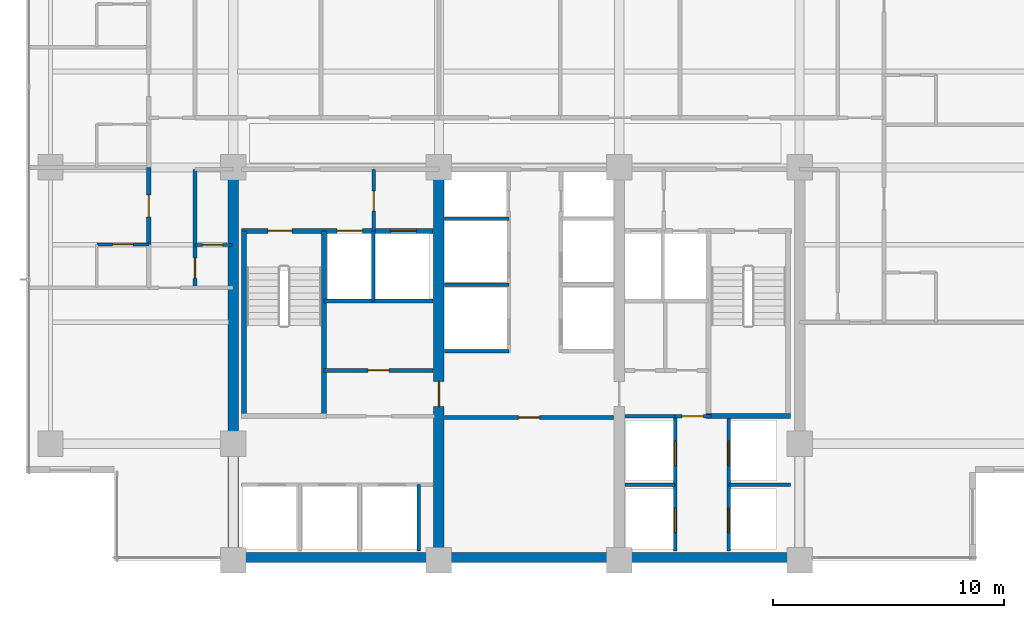
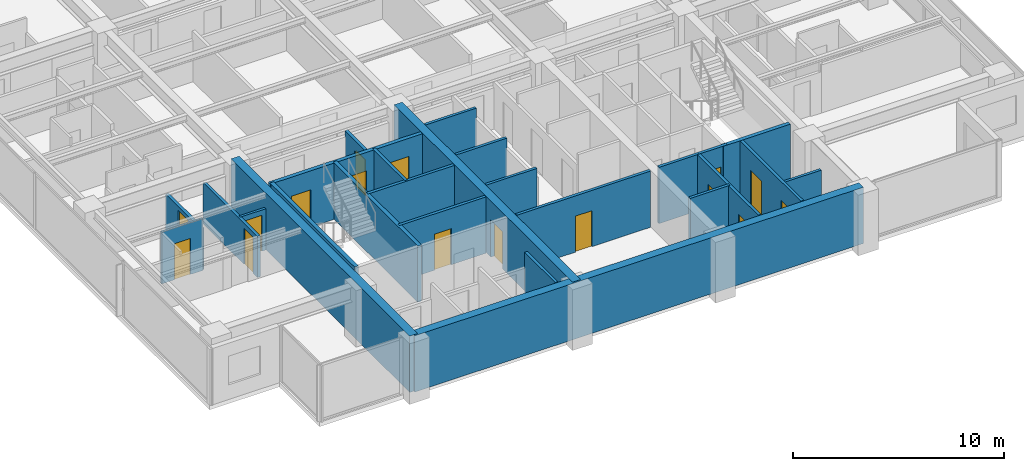
# One storey, part 7 of 15: 26 walls, 16 doors, 16 openings.
"""IFC4 building model written with IfcOpenShell, lengths in metres."""

from ifc_helpers import new_model, si_unit, direction, frame, frame_2d, origin, place, context, subcontext, project, spatial, rectangle, extrude, material, layer, layer_set, type_object, element, fill, save


model = new_model("IFC4")

# Units and contexts
model_context = context("Model", 3, precision=1e-05, world=origin(), true_north=direction((0.0, 1.0)))
body_context = subcontext(model_context, "Body", "Model", "MODEL_VIEW")
ifc_project = project(units=[si_unit("LENGTHUNIT", "METRE"), si_unit("AREAUNIT", "SQUARE_METRE"), si_unit("VOLUMEUNIT", "CUBIC_METRE"), si_unit("PLANEANGLEUNIT", "RADIAN"), si_unit("MASSUNIT", "GRAM", prefix="KILO")], contexts=[model_context])

# Site, building, storey
site_placement = place(None, origin())
site = spatial("IfcSite", under=ifc_project, at=site_placement, CompositionType="ELEMENT")
building_placement = place(site_placement, origin())
building = spatial("IfcBuilding", under=site, at=building_placement, Name="Qalmaran Belvedere Hotel", CompositionType="ELEMENT")
storey_placement = place(building_placement, frame((0.0, 0.0, 142.10009765625)))
storey = spatial("IfcBuildingStorey", under=building, at=storey_placement, Name="L35", CompositionType="ELEMENT", Elevation=142.10009765625)

# Wall
ifc_material_1 = material(Name="Concrete C50/60", Category="concrete")
ifc_layer_1 = layer(ifc_material_1, 0.449951171875, Name="Concrete C50/60")
ifc_layer_set_1 = layer_set([ifc_layer_1], Name="Concrete C50/60")
wall_type_1 = type_object("IfcWallType", Name="WL-CORE-450-C50", PredefinedType="SHEAR", material=ifc_layer_set_1)
wall_1_placement = place(storey_placement, frame((20.300048828125, 3.5, 0.0), z_axis=(0.0, 0.0, 1.0), x_axis=(0.0, 1.0, 0.0)))
element("IfcWall", 1, at=wall_1_placement, inside=storey, type_object=wall_type_1, Name="L35 West Core Shear Wall", PredefinedType="SHEAR", context=body_context, shape_type="SweptSolid", body=[
    extrude(rectangle(XDim=16.89990234375, YDim=0.449951171875, at=frame_2d((8.449951171875, 0.0))), origin(), (0.0, 0.0, 1.0), 3.25),
])

# Wall, opening, door
wall_2_placement = place(storey_placement, frame((29.199951171875, 3.5, 0.0), z_axis=(0.0, 0.0, 1.0), x_axis=(0.0, 1.0, 0.0)))
wall_2 = element("IfcWall", 2, at=wall_2_placement, inside=storey, type_object=wall_type_1, Name="L35 Core West Spine Shear Wall", PredefinedType="SHEAR", context=body_context, shape_type="SweptSolid", body=[
    extrude(rectangle(XDim=16.89990234375, YDim=0.449951171875, at=frame_2d((8.449951171875, 0.0))), origin(), (0.0, 0.0, 1.0), 3.25),
])
opening_1_placement = place(wall_2_placement, frame((7.75, 0.0, 0.0), z_axis=(0.0, 0.0, 1.0), x_axis=(-1.0, 0.0, 0.0)))
opening_1 = element("IfcOpeningElement", 3, at=opening_1_placement, cuts=wall_2, Name="Opening FD90", PredefinedType="OPENING", context=body_context, shape_type="SweptSolid", body=[
    extrude(rectangle(XDim=1.10009765625, YDim=2.14990234375, at=frame_2d((0.550048828125, 1.074951171875))), frame((0.0, 0.23486328125, 0.0), z_axis=(0.0, -1.0, 0.0), x_axis=(1.0, 0.0, 0.0)), (0.0, 0.0, 1.0), 0.469970703125),
])
ifc_material_2 = material(Name="Steel S355JR", Category="steel")
door_type_1 = type_object("IfcDoorType", Name="DR-FD90-1100X2150", OperationType="NOTDEFINED", PredefinedType="DOOR", material=ifc_material_2)
door_1_placement = place(opening_1_placement, origin())
door_1 = element("IfcDoor", 4, at=door_1_placement, inside=storey, type_object=door_type_1, Name="L35 Core West Cross-Lobby Door", OperationType="SINGLE_SWING_LEFT", OverallHeight=2.14990234375, OverallWidth=1.10009765625, PredefinedType="DOOR", context=body_context, shape_type="SweptSolid", body=[
    extrude(rectangle(XDim=1.10009765625, YDim=2.14990234375, at=frame_2d((0.550048828125, 1.074951171875))), frame((0.0, 0.02490234375, 0.0), z_axis=(0.0, -1.0, 0.0), x_axis=(1.0, 0.0, 0.0)), (0.0, 0.0, 1.0), 0.050048828125),
])
fill(opening_1, door_1)

# Wall
ifc_layer_2 = layer(ifc_material_1, 0.43994140625, Name="Concrete C50/60")
ifc_layer_set_2 = layer_set([ifc_layer_2], Name="Concrete C50/60")
wall_type_2 = type_object("IfcWallType", Name="WL-CORES-440-EXT", PredefinedType="SHEAR", material=ifc_layer_set_2)
wall_3_placement = place(storey_placement, frame((20.300048828125, 3.6298828125, 0.0), z_axis=(0.0, 0.0, 1.0), x_axis=(1.0, 0.0, 0.0)))
element("IfcWall", 5, at=wall_3_placement, inside=storey, type_object=wall_type_2, Name="L35 South Core Shear Wall", PredefinedType="SHEAR", context=body_context, shape_type="SweptSolid", body=[
    extrude(rectangle(XDim=24.5, YDim=0.43994140625, at=frame_2d((12.25, 0.0))), origin(), (0.0, 0.0, 1.0), 3.25),
])

# Wall, opening, door
ifc_material_3 = material(Name="Moisture-Resistant Gypsum")
ifc_layer_3 = layer(ifc_material_3, 0.1201171875, Name="Moisture-Resistant Gypsum")
ifc_layer_set_3 = layer_set([ifc_layer_3], Name="Moisture-Resistant Gypsum")
wall_type_3 = type_object("IfcWallType", Name="WL-INT-120-BATH", PredefinedType="PARTITIONING", material=ifc_layer_set_3)
wall_4_placement = place(storey_placement, frame((14.39990234375, 17.169921875, 0.0), z_axis=(0.0, 0.0, 1.0), x_axis=(1.0, 0.0, 0.0)))
wall_4 = element("IfcWall", 6, at=wall_4_placement, inside=storey, type_object=wall_type_3, Name="L35 Partition WL-L35-WBN00", PredefinedType="PARTITIONING", context=body_context, shape_type="SweptSolid", body=[
    extrude(rectangle(XDim=2.25, YDim=0.1201171875, at=frame_2d((1.125, 0.0))), origin(), (0.0, 0.0, 1.0), 2.98779296875),
])
opening_2_placement = place(wall_4_placement, frame((1.56494140625, 0.0, 0.0), z_axis=(0.0, 0.0, 1.0), x_axis=(-1.0, 0.0, 0.0)))
opening_2 = element("IfcOpeningElement", 7, at=opening_2_placement, cuts=wall_4, Name="Opening D-BATH", PredefinedType="OPENING", context=body_context, shape_type="SweptSolid", body=[
    extrude(rectangle(XDim=0.8798828125, YDim=2.080078125, at=frame_2d((0.43994140625, 1.0400390625))), frame((0.0, 0.070068359375, 0.0), z_axis=(0.0, -1.0, 0.0), x_axis=(1.0, 0.0, 0.0)), (0.0, 0.0, 1.0), 0.14013671875),
])
ifc_material_4 = material(Name="Engineered Oak Veneer")
door_type_2 = type_object("IfcDoorType", Name="DR-INT-BATH-880X2080", OperationType="NOTDEFINED", PredefinedType="DOOR", material=ifc_material_4)
door_2_placement = place(opening_2_placement, origin())
door_2 = element("IfcDoor", 8, at=door_2_placement, inside=storey, type_object=door_type_2, Name="L35 W Ensuite Door 01", OperationType="SINGLE_SWING_LEFT", OverallHeight=2.080078125, OverallWidth=0.8798828125, PredefinedType="DOOR", context=body_context, shape_type="SweptSolid", body=[
    extrude(rectangle(XDim=0.8798828125, YDim=2.080078125, at=frame_2d((0.43994140625, 1.0400390625))), frame((0.0, 0.02490234375, 0.0), z_axis=(0.0, -1.0, 0.0), x_axis=(1.0, 0.0, 0.0)), (0.0, 0.0, 1.0), 0.050048828125),
])
fill(opening_2, door_2)

ifc_material_5 = material(Name="Gypsum Stud Partition")
ifc_layer_4 = layer(ifc_material_5, 0.139892578125, Name="Gypsum Stud Partition")
ifc_layer_set_4 = layer_set([ifc_layer_4], Name="Gypsum Stud Partition")
wall_type_4 = type_object("IfcWallType", Name="WL-INT-140-NR", PredefinedType="PARTITIONING", material=ifc_layer_set_4)
wall_5_placement = place(storey_placement, frame((18.64990234375, 17.14990234375, 0.0), z_axis=(0.0, 0.0, 1.0), x_axis=(1.0, 0.0, 0.0)))
wall_5 = element("IfcWall", 9, at=wall_5_placement, inside=storey, type_object=wall_type_4, Name="L35 Partition WL-L35-WCLSUB", PredefinedType="PARTITIONING", context=body_context, shape_type="SweptSolid", body=[
    extrude(rectangle(XDim=1.60009765625, YDim=0.139892578125, at=frame_2d((0.800048828125, 0.0))), origin(), (0.0, 0.0, 1.0), 2.3798828125),
])
opening_3_placement = place(wall_5_placement, frame((1.193115234375, 0.0, 0.0), z_axis=(0.0, 0.0, 1.0), x_axis=(-1.0, 0.0, 0.0)))
opening_3 = element("IfcOpeningElement", 10, at=opening_3_placement, cuts=wall_5, Name="Opening D-BATH", PredefinedType="OPENING", context=body_context, shape_type="SweptSolid", body=[
    extrude(rectangle(XDim=0.8798828125, YDim=2.080078125, at=frame_2d((0.43994140625, 1.0400390625))), frame((0.0, 0.080078125, 0.0), z_axis=(0.0, -1.0, 0.0), x_axis=(1.0, 0.0, 0.0)), (0.0, 0.0, 1.0), 0.159912109375),
])
door_3_placement = place(opening_3_placement, origin())
door_3 = element("IfcDoor", 11, at=door_3_placement, inside=storey, type_object=door_type_2, Name="L35 Closet Alcove Door", OperationType="SINGLE_SWING_RIGHT", OverallHeight=2.080078125, OverallWidth=0.8798828125, PredefinedType="DOOR", context=body_context, shape_type="SweptSolid", body=[
    extrude(rectangle(XDim=0.8798828125, YDim=2.080078125, at=frame_2d((0.43994140625, 1.0400390625))), frame((0.0, 0.02490234375, 0.0), z_axis=(0.0, -1.0, 0.0), x_axis=(1.0, 0.0, 0.0)), (0.0, 0.0, 1.0), 0.050048828125),
])
fill(opening_3, door_3)

# Walls
ifc_layer_5 = layer(ifc_material_5, 0.14990234375, Name="Gypsum Stud Partition")
ifc_layer_set_5 = layer_set([ifc_layer_5], Name="Gypsum Stud Partition")
wall_type_5 = type_object("IfcWallType", Name="WL-INT-150-EI120", PredefinedType="PARTITIONING", material=ifc_layer_set_5)
wall_6_placement = place(storey_placement, frame((26.360107421875, 14.719970703125, 0.0), z_axis=(0.0, 0.0, 1.0), x_axis=(0.0, 1.0, 0.0)))
element("IfcWall", 12, at=wall_6_placement, inside=storey, type_object=wall_type_5, Name="L35 Partition WL-FF1M-L35", PredefinedType="PARTITIONING", context=body_context, shape_type="SweptSolid", body=[
    extrude(rectangle(XDim=3.0400390625, YDim=0.14990234375, at=frame_2d((1.52001953125, 0.0))), origin(), (0.0, 0.0, 1.0), 3.25),
])
wall_7_placement = place(storey_placement, frame((28.320068359375, 3.89990234375, 0.0), z_axis=(0.0, 0.0, 1.0), x_axis=(0.0, 1.0, 0.0)))
element("IfcWall", 13, at=wall_7_placement, inside=storey, type_object=wall_type_5, Name="L35 Partition WL-POM3-L35", PredefinedType="PARTITIONING", context=body_context, shape_type="SweptSolid", body=[
    extrude(rectangle(XDim=2.880126953125, YDim=0.14990234375, at=frame_2d((1.43994140625, 0.0))), origin(), (0.0, 0.0, 1.0), 3.25),
])
wall_8_placement = place(storey_placement, frame((37.25, 6.780029296875, 0.0), z_axis=(0.0, 0.0, 1.0), x_axis=(1.0, 0.0, 0.0)))
element("IfcWall", 14, at=wall_8_placement, inside=storey, type_object=wall_type_5, Name="L35 Partition WL-PHMW-L35", PredefinedType="PARTITIONING", context=body_context, shape_type="SweptSolid", body=[
    extrude(rectangle(XDim=2.169921875, YDim=0.14990234375, at=frame_2d((1.0849609375, 0.0))), origin(), (0.0, 0.0, 1.0), 3.25),
])
wall_9_placement = place(storey_placement, frame((41.739990234375, 6.780029296875, 0.0), z_axis=(0.0, 0.0, 1.0), x_axis=(1.0, 0.0, 0.0)))
element("IfcWall", 15, at=wall_9_placement, inside=storey, type_object=wall_type_5, Name="L35 Partition WL-PHME-L35", PredefinedType="PARTITIONING", context=body_context, shape_type="SweptSolid", body=[
    extrude(rectangle(XDim=2.659912109375, YDim=0.14990234375, at=frame_2d((1.330078125, 0.0))), origin(), (0.0, 0.0, 1.0), 2.3798828125),
])
for number, where, z_axis, x_axis, name in (
    (16, (29.449951171875, 12.550048828125, 0.0), (0.0, 0.0, 1.0), (1.0, 0.0, 0.0), "L35 Partition WL-PMW-L35-125"),
    (17, (29.449951171875, 15.419921875, 0.0), (0.0, 0.0, 1.0), (1.0, 0.0, 0.0), "L35 Partition WL-PMW-L35-154"),
    (18, (29.449951171875, 18.280029296875, 0.0), (0.0, 0.0, 1.0), (1.0, 0.0, 0.0), "L35 Partition WL-PMW-L35-182"),
):
    element("IfcWall", number, at=place(storey_placement, frame(where, z_axis=z_axis, x_axis=x_axis)), inside=storey, type_object=wall_type_5, Name=name, PredefinedType="PARTITIONING", context=body_context, shape_type="SweptSolid", body=[
        extrude(rectangle(XDim=2.77001953125, YDim=0.14990234375, at=frame_2d((1.385009765625, 0.0))), origin(), (0.0, 0.0, 1.0), 3.25),
    ])

# Wall, opening, door
ifc_layer_6 = layer(ifc_material_5, 0.159912109375, Name="Gypsum Stud Partition")
ifc_layer_set_6 = layer_set([ifc_layer_6], Name="Gypsum Stud Partition")
wall_type_6 = type_object("IfcWallType", Name="WL-INT-160-EI120", PredefinedType="PARTITIONING", material=ifc_layer_set_6)
wall_10_placement = place(storey_placement, frame((26.3798828125, 17.760009765625, 0.0), z_axis=(0.0, 0.0, 1.0), x_axis=(0.0, 1.0, 0.0)))
wall_10 = element("IfcWall", 19, at=wall_10_placement, inside=storey, type_object=wall_type_6, Name="L35 Partition WL-FFSV1-L35", PredefinedType="PARTITIONING", context=body_context, shape_type="SweptSolid", body=[
    extrude(rectangle(XDim=2.659912109375, YDim=0.159912109375, at=frame_2d((1.330078125, 0.0))), origin(), (0.0, 0.0, 1.0), 2.69189453125),
])
opening_4_placement = place(wall_10_placement, frame((0.85009765625, 0.0, 0.0)))
opening_4 = element("IfcOpeningElement", 20, at=opening_4_placement, cuts=wall_10, Name="Opening FD60B", PredefinedType="OPENING", context=body_context, shape_type="SweptSolid", body=[
    extrude(rectangle(XDim=0.8798828125, YDim=2.080078125, at=frame_2d((0.43994140625, 1.0400390625))), frame((0.0, 0.08984375, 0.0), z_axis=(0.0, -1.0, 0.0), x_axis=(1.0, 0.0, 0.0)), (0.0, 0.0, 1.0), 0.179931640625),
])
door_type_3 = type_object("IfcDoorType", Name="DR-FD60B-880X2080", OperationType="NOTDEFINED", PredefinedType="DOOR", material=ifc_material_2)
door_4_placement = place(opening_4_placement, origin())
door_4 = element("IfcDoor", 21, at=door_4_placement, inside=storey, type_object=door_type_3, Name="L35 Service Lobby West Door", OperationType="SINGLE_SWING_LEFT", OverallHeight=2.080078125, OverallWidth=0.8798828125, PredefinedType="DOOR", context=body_context, shape_type="SweptSolid", body=[
    extrude(rectangle(XDim=0.8798828125, YDim=2.080078125, at=frame_2d((0.43994140625, 1.0400390625))), frame((0.0, 0.02490234375, 0.0), z_axis=(0.0, -1.0, 0.0), x_axis=(1.0, 0.0, 0.0)), (0.0, 0.0, 1.0), 0.050048828125),
])
fill(opening_4, door_4)

# Wall
wall_11_placement = place(storey_placement, frame((24.219970703125, 14.719970703125, 0.0), z_axis=(0.0, 0.0, 1.0), x_axis=(1.0, 0.0, 0.0)))
element("IfcWall", 22, at=wall_11_placement, inside=storey, type_object=wall_type_6, Name="L35 Partition WL-FF1S-L35", PredefinedType="PARTITIONING", context=body_context, shape_type="SweptSolid", body=[
    extrude(rectangle(XDim=4.72998046875, YDim=0.159912109375, at=frame_2d((2.364990234375, 0.0))), origin(), (0.0, 0.0, 1.0), 3.25),
])

# Wall, openings, doors
wall_12_placement = place(storey_placement, frame((39.419921875, 3.89990234375, 0.0), z_axis=(0.0, 0.0, 1.0), x_axis=(0.0, 1.0, 0.0)))
wall_12 = element("IfcWall", 23, at=wall_12_placement, inside=storey, type_object=wall_type_6, Name="L35 Partition WL-PHW-L35", PredefinedType="PARTITIONING", context=body_context, shape_type="SweptSolid", body=[
    extrude(rectangle(XDim=5.840087890625, YDim=0.159912109375, at=frame_2d((2.919921875, 0.0))), origin(), (0.0, 0.0, 1.0), 3.25),
])
opening_5_placement = place(wall_12_placement, frame((1.860107421875, 0.0, 0.0), z_axis=(0.0, 0.0, 1.0), x_axis=(-1.0, 0.0, 0.0)))
opening_5 = element("IfcOpeningElement", 24, at=opening_5_placement, cuts=wall_12, Name="Opening LD-P2", PredefinedType="OPENING", context=body_context, shape_type="SweptSolid", body=[
    extrude(rectangle(XDim=1.06005859375, YDim=2.159912109375, at=frame_2d((0.530029296875, 1.080078125))), frame((0.0, 0.08984375, 0.0), z_axis=(0.0, -1.0, 0.0), x_axis=(1.0, 0.0, 0.0)), (0.0, 0.0, 1.0), 0.179931640625),
])
opening_6_placement = place(wall_12_placement, frame((4.760009765625, 0.0, 0.0), z_axis=(0.0, 0.0, 1.0), x_axis=(-1.0, 0.0, 0.0)))
opening_6 = element("IfcOpeningElement", 25, at=opening_6_placement, cuts=wall_12, Name="Opening LD-P2", PredefinedType="OPENING", context=body_context, shape_type="SweptSolid", body=[
    extrude(rectangle(XDim=1.06005859375, YDim=2.159912109375, at=frame_2d((0.530029296875, 1.080078125))), frame((0.0, 0.08984375, 0.0), z_axis=(0.0, -1.0, 0.0), x_axis=(1.0, 0.0, 0.0)), (0.0, 0.0, 1.0), 0.179931640625),
])
ifc_material_6 = material(Name="Stainless Steel 1.4401", Category="steel")
door_type_4 = type_object("IfcDoorType", Name="DR-LIFT-P2-1060X2160", OperationType="DOUBLE_DOOR_SLIDING", PredefinedType="DOOR", material=ifc_material_6)
door_5_placement = place(opening_5_placement, origin())
door_5 = element("IfcDoor", 26, at=door_5_placement, inside=storey, type_object=door_type_4, Name="L35 PH1 Lift Landing Door", OperationType="DOUBLE_DOOR_SLIDING", OverallHeight=2.159912109375, OverallWidth=1.06005859375, PredefinedType="DOOR", context=body_context, shape_type="SweptSolid", body=[
    extrude(rectangle(XDim=1.06005859375, YDim=2.159912109375, at=frame_2d((0.530029296875, 1.080078125))), frame((0.0, 0.02490234375, 0.0), z_axis=(0.0, -1.0, 0.0), x_axis=(1.0, 0.0, 0.0)), (0.0, 0.0, 1.0), 0.050048828125),
])
fill(opening_5, door_5)
door_6_placement = place(opening_6_placement, origin())
door_6 = element("IfcDoor", 27, at=door_6_placement, inside=storey, type_object=door_type_4, Name="L35 PH2 Lift Landing Door", OperationType="DOUBLE_DOOR_SLIDING", OverallHeight=2.159912109375, OverallWidth=1.06005859375, PredefinedType="DOOR", context=body_context, shape_type="SweptSolid", body=[
    extrude(rectangle(XDim=1.06005859375, YDim=2.159912109375, at=frame_2d((0.530029296875, 1.080078125))), frame((0.0, 0.02490234375, 0.0), z_axis=(0.0, -1.0, 0.0), x_axis=(1.0, 0.0, 0.0)), (0.0, 0.0, 1.0), 0.050048828125),
])
fill(opening_6, door_6)

wall_13_placement = place(storey_placement, frame((41.739990234375, 3.89990234375, 0.0), z_axis=(0.0, 0.0, 1.0), x_axis=(0.0, 1.0, 0.0)))
wall_13 = element("IfcWall", 28, at=wall_13_placement, inside=storey, type_object=wall_type_6, Name="L35 Partition WL-PHE-L35", PredefinedType="PARTITIONING", context=body_context, shape_type="SweptSolid", body=[
    extrude(rectangle(XDim=5.840087890625, YDim=0.159912109375, at=frame_2d((2.919921875, 0.0))), origin(), (0.0, 0.0, 1.0), 3.25),
])
opening_7_placement = place(wall_13_placement, frame((0.800048828125, 0.0, 0.0)))
opening_7 = element("IfcOpeningElement", 29, at=opening_7_placement, cuts=wall_13, Name="Opening LD-P2", PredefinedType="OPENING", context=body_context, shape_type="SweptSolid", body=[
    extrude(rectangle(XDim=1.06005859375, YDim=2.159912109375, at=frame_2d((0.530029296875, 1.080078125))), frame((0.0, 0.08984375, 0.0), z_axis=(0.0, -1.0, 0.0), x_axis=(1.0, 0.0, 0.0)), (0.0, 0.0, 1.0), 0.179931640625),
])
opening_8_placement = place(wall_13_placement, frame((3.699951171875, 0.0, 0.0)))
opening_8 = element("IfcOpeningElement", 30, at=opening_8_placement, cuts=wall_13, Name="Opening LD-P2", PredefinedType="OPENING", context=body_context, shape_type="SweptSolid", body=[
    extrude(rectangle(XDim=1.06005859375, YDim=2.159912109375, at=frame_2d((0.530029296875, 1.080078125))), frame((0.0, 0.08984375, 0.0), z_axis=(0.0, -1.0, 0.0), x_axis=(1.0, 0.0, 0.0)), (0.0, 0.0, 1.0), 0.179931640625),
])
door_7_placement = place(opening_7_placement, origin())
door_7 = element("IfcDoor", 31, at=door_7_placement, inside=storey, type_object=door_type_4, Name="L35 PH3 Lift Landing Door", OperationType="DOUBLE_DOOR_SLIDING", OverallHeight=2.159912109375, OverallWidth=1.06005859375, PredefinedType="DOOR", context=body_context, shape_type="SweptSolid", body=[
    extrude(rectangle(XDim=1.06005859375, YDim=2.159912109375, at=frame_2d((0.530029296875, 1.080078125))), frame((0.0, 0.02490234375, 0.0), z_axis=(0.0, -1.0, 0.0), x_axis=(1.0, 0.0, 0.0)), (0.0, 0.0, 1.0), 0.050048828125),
])
fill(opening_7, door_7)
door_8_placement = place(opening_8_placement, origin())
door_8 = element("IfcDoor", 32, at=door_8_placement, inside=storey, type_object=door_type_4, Name="L35 PH4 Lift Landing Door", OperationType="DOUBLE_DOOR_SLIDING", OverallHeight=2.159912109375, OverallWidth=1.06005859375, PredefinedType="DOOR", context=body_context, shape_type="SweptSolid", body=[
    extrude(rectangle(XDim=1.06005859375, YDim=2.159912109375, at=frame_2d((0.530029296875, 1.080078125))), frame((0.0, 0.02490234375, 0.0), z_axis=(0.0, -1.0, 0.0), x_axis=(1.0, 0.0, 0.0)), (0.0, 0.0, 1.0), 0.050048828125),
])
fill(opening_8, door_8)

# Wall
wall_14_placement = place(storey_placement, frame((37.25, 9.739990234375, 0.0), z_axis=(0.0, 0.0, 1.0), x_axis=(1.0, 0.0, 0.0)))
element("IfcWall", 33, at=wall_14_placement, inside=storey, type_object=wall_type_6, Name="L35 Partition WL-PHNW-L35", PredefinedType="PARTITIONING", context=body_context, shape_type="SweptSolid", body=[
    extrude(rectangle(XDim=2.169921875, YDim=0.159912109375, at=frame_2d((1.0849609375, 0.0))), origin(), (0.0, 0.0, 1.0), 3.25),
])

# Wall, opening, door
wall_15_placement = place(storey_placement, frame((39.419921875, 9.739990234375, 0.0), z_axis=(0.0, 0.0, 1.0), x_axis=(1.0, 0.0, 0.0)))
wall_15 = element("IfcWall", 34, at=wall_15_placement, inside=storey, type_object=wall_type_6, Name="L35 Partition WL-PHNL-L35", PredefinedType="PARTITIONING", context=body_context, shape_type="SweptSolid", body=[
    extrude(rectangle(XDim=1.56005859375, YDim=0.159912109375, at=frame_2d((0.780029296875, 0.0))), origin(), (0.0, 0.0, 1.0), 3.25),
])
opening_9_placement = place(wall_15_placement, frame((0.300048828125, 0.0, 0.0)))
opening_9 = element("IfcOpeningElement", 35, at=opening_9_placement, cuts=wall_15, Name="Opening FD60S1", PredefinedType="OPENING", context=body_context, shape_type="SweptSolid", body=[
    extrude(rectangle(XDim=0.919921875, YDim=2.080078125, at=frame_2d((0.4599609375, 1.0400390625))), frame((0.0, 0.08984375, 0.0), z_axis=(0.0, -1.0, 0.0), x_axis=(1.0, 0.0, 0.0)), (0.0, 0.0, 1.0), 0.179931640625),
])
door_type_5 = type_object("IfcDoorType", Name="DR-FD60S-920X2080", OperationType="NOTDEFINED", PredefinedType="DOOR", material=ifc_material_4)
door_9_placement = place(opening_9_placement, origin())
door_9 = element("IfcDoor", 36, at=door_9_placement, inside=storey, type_object=door_type_5, Name="L35 High-Rise Lift Lobby Passage Door", OperationType="SINGLE_SWING_RIGHT", OverallHeight=2.080078125, OverallWidth=0.919921875, PredefinedType="DOOR", context=body_context, shape_type="SweptSolid", body=[
    extrude(rectangle(XDim=0.919921875, YDim=2.080078125, at=frame_2d((0.4599609375, 1.0400390625))), frame((0.0, 0.02490234375, 0.0), z_axis=(0.0, -1.0, 0.0), x_axis=(1.0, 0.0, 0.0)), (0.0, 0.0, 1.0), 0.050048828125),
])
fill(opening_9, door_9)

ifc_layer_7 = layer(ifc_material_5, 0.159912109375, Name="Gypsum Stud Partition")
ifc_layer_set_7 = layer_set([ifc_layer_7], Name="Gypsum Stud Partition")
wall_type_7 = type_object("IfcWallType", Name="WL-INT-160-EI60", PredefinedType="PARTITIONING", material=ifc_layer_set_7)
wall_16_placement = place(storey_placement, frame((24.219970703125, 11.719970703125, 0.0), z_axis=(0.0, 0.0, 1.0), x_axis=(1.0, 0.0, 0.0)))
wall_16 = element("IfcWall", 37, at=wall_16_placement, inside=storey, type_object=wall_type_7, Name="L35 Partition WL-L35-KWE1", PredefinedType="PARTITIONING", context=body_context, shape_type="SweptSolid", body=[
    extrude(rectangle(XDim=4.72998046875, YDim=0.159912109375, at=frame_2d((2.364990234375, 0.0))), origin(), (0.0, 0.0, 1.0), 3.25),
])
opening_10_placement = place(wall_16_placement, frame((1.905029296875, 0.0, 0.0)))
opening_10 = element("IfcOpeningElement", 38, at=opening_10_placement, cuts=wall_16, Name="Opening FD60S1", PredefinedType="OPENING", context=body_context, shape_type="SweptSolid", body=[
    extrude(rectangle(XDim=0.919921875, YDim=2.080078125, at=frame_2d((0.4599609375, 1.0400390625))), frame((0.0, 0.08984375, 0.0), z_axis=(0.0, -1.0, 0.0), x_axis=(1.0, 0.0, 0.0)), (0.0, 0.0, 1.0), 0.179931640625),
])
door_10_placement = place(opening_10_placement, origin())
door_10 = element("IfcDoor", 39, at=door_10_placement, inside=storey, type_object=door_type_5, Name="L35 Electrical Distribution Room Door", OperationType="SINGLE_SWING_RIGHT", OverallHeight=2.080078125, OverallWidth=0.919921875, PredefinedType="DOOR", context=body_context, shape_type="SweptSolid", body=[
    extrude(rectangle(XDim=0.919921875, YDim=2.080078125, at=frame_2d((0.4599609375, 1.0400390625))), frame((0.0, 0.02490234375, 0.0), z_axis=(0.0, -1.0, 0.0), x_axis=(1.0, 0.0, 0.0)), (0.0, 0.0, 1.0), 0.050048828125),
])
fill(opening_10, door_10)

wall_17_placement = place(storey_placement, frame((29.449951171875, 9.679931640625, 0.0), z_axis=(0.0, 0.0, 1.0), x_axis=(1.0, 0.0, 0.0)))
wall_17 = element("IfcWall", 40, at=wall_17_placement, inside=storey, type_object=wall_type_7, Name="L35 Partition WL-L35-KPLE1", PredefinedType="PARTITIONING", context=body_context, shape_type="SweptSolid", body=[
    extrude(rectangle(XDim=7.300048828125, YDim=0.159912109375, at=frame_2d((3.64990234375, 0.0))), origin(), (0.0, 0.0, 1.0), 3.25),
])
opening_11_placement = place(wall_17_placement, frame((4.10986328125, 0.0, 0.0), z_axis=(0.0, 0.0, 1.0), x_axis=(-1.0, 0.0, 0.0)))
opening_11 = element("IfcOpeningElement", 41, at=opening_11_placement, cuts=wall_17, Name="Opening FD60S1", PredefinedType="OPENING", context=body_context, shape_type="SweptSolid", body=[
    extrude(rectangle(XDim=0.919921875, YDim=2.080078125, at=frame_2d((0.4599609375, 1.0400390625))), frame((0.0, 0.08984375, 0.0), z_axis=(0.0, -1.0, 0.0), x_axis=(1.0, 0.0, 0.0)), (0.0, 0.0, 1.0), 0.179931640625),
])
door_11_placement = place(opening_11_placement, origin())
door_11 = element("IfcDoor", 42, at=door_11_placement, inside=storey, type_object=door_type_5, Name="L35 Housekeeping and Linen Room Door", OperationType="SINGLE_SWING_LEFT", OverallHeight=2.080078125, OverallWidth=0.919921875, PredefinedType="DOOR", context=body_context, shape_type="SweptSolid", body=[
    extrude(rectangle(XDim=0.919921875, YDim=2.080078125, at=frame_2d((0.4599609375, 1.0400390625))), frame((0.0, 0.02490234375, 0.0), z_axis=(0.0, -1.0, 0.0), x_axis=(1.0, 0.0, 0.0)), (0.0, 0.0, 1.0), 0.050048828125),
])
fill(opening_11, door_11)

wall_18_placement = place(storey_placement, frame((18.64990234375, 15.300048828125, 0.0), z_axis=(0.0, 0.0, 1.0), x_axis=(0.0, 1.0, 0.0)))
wall_18 = element("IfcWall", 43, at=wall_18_placement, inside=storey, type_object=wall_type_7, Name="L35 Partition WL-L35-WCL", PredefinedType="PARTITIONING", context=body_context, shape_type="SweptSolid", body=[
    extrude(rectangle(XDim=5.119873046875, YDim=0.159912109375, at=frame_2d((2.56005859375, 0.0))), origin(), (0.0, 0.0, 1.0), 2.3798828125),
])
opening_12_placement = place(wall_18_placement, frame((1.27978515625, 0.0, 0.0), z_axis=(0.0, 0.0, 1.0), x_axis=(-1.0, 0.0, 0.0)))
opening_12 = element("IfcOpeningElement", 44, at=opening_12_placement, cuts=wall_18, Name="Opening FD60B", PredefinedType="OPENING", context=body_context, shape_type="SweptSolid", body=[
    extrude(rectangle(XDim=0.8798828125, YDim=2.080078125, at=frame_2d((0.43994140625, 1.0400390625))), frame((0.0, 0.08984375, 0.0), z_axis=(0.0, -1.0, 0.0), x_axis=(1.0, 0.0, 0.0)), (0.0, 0.0, 1.0), 0.179931640625),
])
door_12_placement = place(opening_12_placement, origin())
door_12 = element("IfcDoor", 45, at=door_12_placement, inside=storey, type_object=door_type_3, Name="L35 West Closet Door", OperationType="SINGLE_SWING_RIGHT", OverallHeight=2.080078125, OverallWidth=0.8798828125, PredefinedType="DOOR", context=body_context, shape_type="SweptSolid", body=[
    extrude(rectangle(XDim=0.8798828125, YDim=2.080078125, at=frame_2d((0.43994140625, 1.0400390625))), frame((0.0, 0.02490234375, 0.0), z_axis=(0.0, -1.0, 0.0), x_axis=(1.0, 0.0, 0.0)), (0.0, 0.0, 1.0), 0.050048828125),
])
fill(opening_12, door_12)

ifc_layer_8 = layer(ifc_material_5, 0.179931640625, Name="Gypsum Stud Partition")
ifc_layer_set_8 = layer_set([ifc_layer_8], Name="Gypsum Stud Partition")
wall_type_8 = type_object("IfcWallType", Name="WL-INT-180-EI60", PredefinedType="PARTITIONING", material=ifc_layer_set_8)
wall_19_placement = place(storey_placement, frame((16.64990234375, 17.169921875, 0.0), z_axis=(0.0, 0.0, 1.0), x_axis=(0.0, 1.0, 0.0)))
wall_19 = element("IfcWall", 46, at=wall_19_placement, inside=storey, type_object=wall_type_8, Name="L35 Partition WL-L35-WEC00", PredefinedType="PARTITIONING", context=body_context, shape_type="SweptSolid", body=[
    extrude(rectangle(XDim=3.330078125, YDim=0.179931640625, at=frame_2d((1.6650390625, 0.0))), origin(), (0.0, 0.0, 1.0), 2.3798828125),
])
opening_13_placement = place(wall_19_placement, frame((1.18994140625, 0.0, 0.0)))
opening_13 = element("IfcOpeningElement", 47, at=opening_13_placement, cuts=wall_19, Name="Opening FD60", PredefinedType="OPENING", context=body_context, shape_type="SweptSolid", body=[
    extrude(rectangle(XDim=0.949951171875, YDim=2.14990234375, at=frame_2d((0.47509765625, 1.074951171875))), frame((0.0, 0.10009765625, 0.0), z_axis=(0.0, -1.0, 0.0), x_axis=(1.0, 0.0, 0.0)), (0.0, 0.0, 1.0), 0.199951171875),
])
door_type_6 = type_object("IfcDoorType", Name="DR-FD60-950X2150", OperationType="NOTDEFINED", PredefinedType="DOOR", material=ifc_material_4)
door_13_placement = place(opening_13_placement, origin())
door_13 = element("IfcDoor", 48, at=door_13_placement, inside=storey, type_object=door_type_6, Name="L35 W Wing Door 01", OperationType="SINGLE_SWING_RIGHT", OverallHeight=2.14990234375, OverallWidth=0.949951171875, PredefinedType="DOOR", context=body_context, shape_type="SweptSolid", body=[
    extrude(rectangle(XDim=0.949951171875, YDim=2.14990234375, at=frame_2d((0.47509765625, 1.074951171875))), frame((0.0, 0.02490234375, 0.0), z_axis=(0.0, -1.0, 0.0), x_axis=(1.0, 0.0, 0.0)), (0.0, 0.0, 1.0), 0.050048828125),
])
fill(opening_13, door_13)

# Walls
ifc_layer_9 = layer(ifc_material_1, 0.2099609375, Name="Concrete C50/60")
ifc_layer_set_9 = layer_set([ifc_layer_9], Name="Concrete C50/60")
wall_type_9 = type_object("IfcWallType", Name="WL-STAIR-210-C50", PredefinedType="SHEAR", material=ifc_layer_set_9)
for number, where, z_axis, x_axis, name in (
    (49, (20.77490234375, 9.7451171875, 0.0), (0.0, 0.0, 1.0), (0.0, 1.0, 0.0), "L35 Stair ST-1 West Bearing Wall"),
    (50, (24.22509765625, 9.7451171875, 0.0), (0.0, 0.0, 1.0), (0.0, 1.0, 0.0), "L35 Stair ST-1 East Bearing Wall"),
):
    element("IfcWall", number, at=place(storey_placement, frame(where, z_axis=z_axis, x_axis=x_axis)), inside=storey, type_object=wall_type_9, Name=name, PredefinedType="SHEAR", context=body_context, shape_type="SweptSolid", body=[
        extrude(rectangle(XDim=8.009765625, YDim=0.2099609375, at=frame_2d((4.0048828125, 0.0))), origin(), (0.0, 0.0, 1.0), 3.25),
    ])

# Wall, openings, doors
wall_20_placement = place(storey_placement, frame((20.64990234375, 17.7548828125, 0.0), z_axis=(0.0, 0.0, 1.0), x_axis=(1.0, 0.0, 0.0)))
wall_20 = element("IfcWall", 51, at=wall_20_placement, inside=storey, type_object=wall_type_9, Name="L35 West Lobby and Stair ST-1 North Bearing Wall", PredefinedType="SHEAR", context=body_context, shape_type="SweptSolid", body=[
    extrude(rectangle(XDim=8.300048828125, YDim=0.2099609375, at=frame_2d((4.14990234375, 0.0))), origin(), (0.0, 0.0, 1.0), 3.25),
])
opening_14_placement = place(wall_20_placement, frame((2.199951171875, 0.0, 0.0), z_axis=(0.0, 0.0, 1.0), x_axis=(-1.0, 0.0, 0.0)))
opening_14 = element("IfcOpeningElement", 52, at=opening_14_placement, cuts=wall_20, Name="Opening FD90S2", PredefinedType="OPENING", context=body_context, shape_type="SweptSolid", body=[
    extrude(rectangle(XDim=1.050048828125, YDim=2.14990234375, at=frame_2d((0.52490234375, 1.074951171875))), frame((0.0, 0.114990234375, 0.0), z_axis=(0.0, -1.0, 0.0), x_axis=(1.0, 0.0, 0.0)), (0.0, 0.0, 1.0), 0.22998046875),
])
opening_15_placement = place(wall_20_placement, frame((4.14990234375, 0.0, 0.0)))
opening_15 = element("IfcOpeningElement", 53, at=opening_15_placement, cuts=wall_20, Name="Opening LD-FF", PredefinedType="OPENING", context=body_context, shape_type="SweptSolid", body=[
    extrude(rectangle(XDim=1.10009765625, YDim=2.179931640625, at=frame_2d((0.550048828125, 1.08984375))), frame((0.0, 0.114990234375, 0.0), z_axis=(0.0, -1.0, 0.0), x_axis=(1.0, 0.0, 0.0)), (0.0, 0.0, 1.0), 0.22998046875),
])
opening_16_placement = place(wall_20_placement, frame((6.449951171875, 0.0, 0.0)))
opening_16 = element("IfcOpeningElement", 54, at=opening_16_placement, cuts=wall_20, Name="Opening LD-SV", PredefinedType="OPENING", context=body_context, shape_type="SweptSolid", body=[
    extrude(rectangle(XDim=1.1201171875, YDim=2.199951171875, at=frame_2d((0.56005859375, 1.10009765625))), frame((0.0, 0.114990234375, 0.0), z_axis=(0.0, -1.0, 0.0), x_axis=(1.0, 0.0, 0.0)), (0.0, 0.0, 1.0), 0.22998046875),
])
door_type_7 = type_object("IfcDoorType", Name="DR-FD90S-1050X2150", OperationType="NOTDEFINED", PredefinedType="DOOR", material=ifc_material_2)
door_14_placement = place(opening_14_placement, origin())
door_14 = element("IfcDoor", 55, at=door_14_placement, inside=storey, type_object=door_type_7, Name="L35 Stair ST-1 Door", OperationType="SINGLE_SWING_LEFT", OverallHeight=2.14990234375, OverallWidth=1.050048828125, PredefinedType="DOOR", context=body_context, shape_type="SweptSolid", body=[
    extrude(rectangle(XDim=1.050048828125, YDim=2.14990234375, at=frame_2d((0.52490234375, 1.074951171875))), frame((0.0, 0.02490234375, 0.0), z_axis=(0.0, -1.0, 0.0), x_axis=(1.0, 0.0, 0.0)), (0.0, 0.0, 1.0), 0.050048828125),
])
fill(opening_14, door_14)
door_type_8 = type_object("IfcDoorType", Name="DR-LIFT-FF-1100X2180", OperationType="DOUBLE_DOOR_SLIDING", PredefinedType="DOOR", material=ifc_material_6)
door_15_placement = place(opening_15_placement, origin())
door_15 = element("IfcDoor", 56, at=door_15_placement, inside=storey, type_object=door_type_8, Name="L35 FF1 Lift Landing Door", OperationType="DOUBLE_DOOR_SLIDING", OverallHeight=2.179931640625, OverallWidth=1.10009765625, PredefinedType="DOOR", context=body_context, shape_type="SweptSolid", body=[
    extrude(rectangle(XDim=1.10009765625, YDim=2.179931640625, at=frame_2d((0.550048828125, 1.08984375))), frame((0.0, 0.02490234375, 0.0), z_axis=(0.0, -1.0, 0.0), x_axis=(1.0, 0.0, 0.0)), (0.0, 0.0, 1.0), 0.050048828125),
])
fill(opening_15, door_15)
door_type_9 = type_object("IfcDoorType", Name="DR-LIFT-SV-1120X2200", OperationType="DOUBLE_DOOR_SLIDING", PredefinedType="DOOR", material=ifc_material_6)
door_16_placement = place(opening_16_placement, origin())
door_16 = element("IfcDoor", 57, at=door_16_placement, inside=storey, type_object=door_type_9, Name="L35 SV1 Lift Landing Door", OperationType="DOUBLE_DOOR_SLIDING", OverallHeight=2.199951171875, OverallWidth=1.1201171875, PredefinedType="DOOR", context=body_context, shape_type="SweptSolid", body=[
    extrude(rectangle(XDim=1.1201171875, YDim=2.199951171875, at=frame_2d((0.56005859375, 1.10009765625))), frame((0.0, 0.02490234375, 0.0), z_axis=(0.0, -1.0, 0.0), x_axis=(1.0, 0.0, 0.0)), (0.0, 0.0, 1.0), 0.050048828125),
])
fill(opening_16, door_16)

# Wall
wall_21_placement = place(storey_placement, frame((40.75, 9.7451171875, 0.0), z_axis=(0.0, 0.0, 1.0), x_axis=(1.0, 0.0, 0.0)))
element("IfcWall", 58, at=wall_21_placement, inside=storey, type_object=wall_type_9, Name="L35 Stair ST-2 South Bearing Wall", PredefinedType="SHEAR", context=body_context, shape_type="SweptSolid", body=[
    extrude(rectangle(XDim=3.659912109375, YDim=0.2099609375, at=frame_2d((1.830078125, 0.0))), origin(), (0.0, 0.0, 1.0), 3.25),
])

save(model, "model.ifc")
